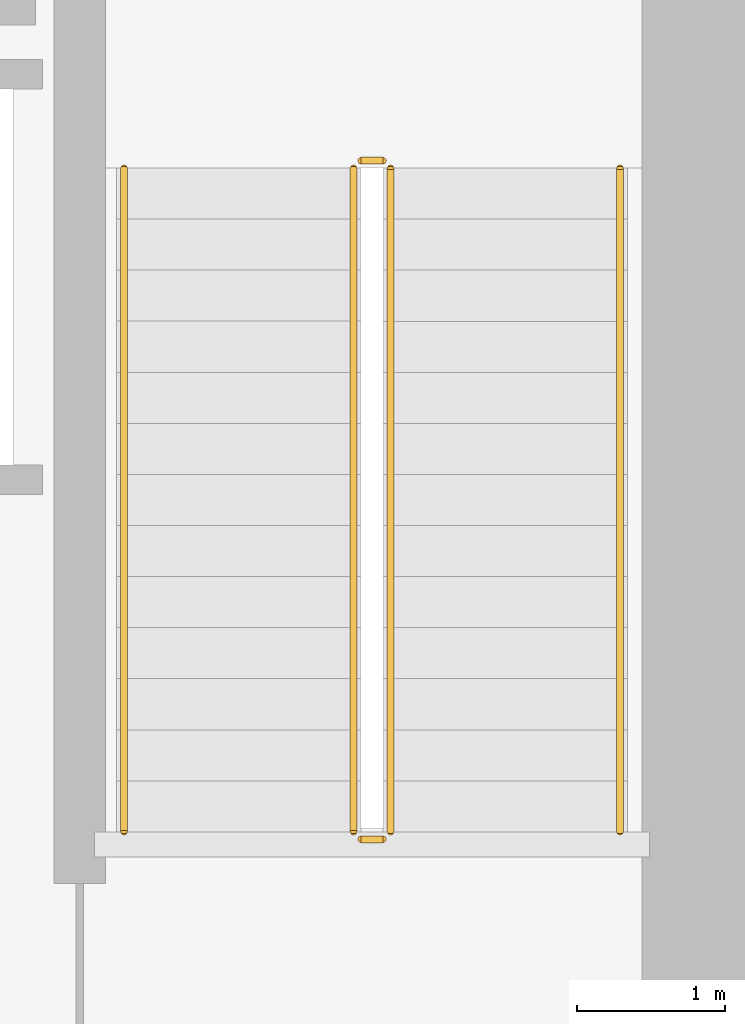
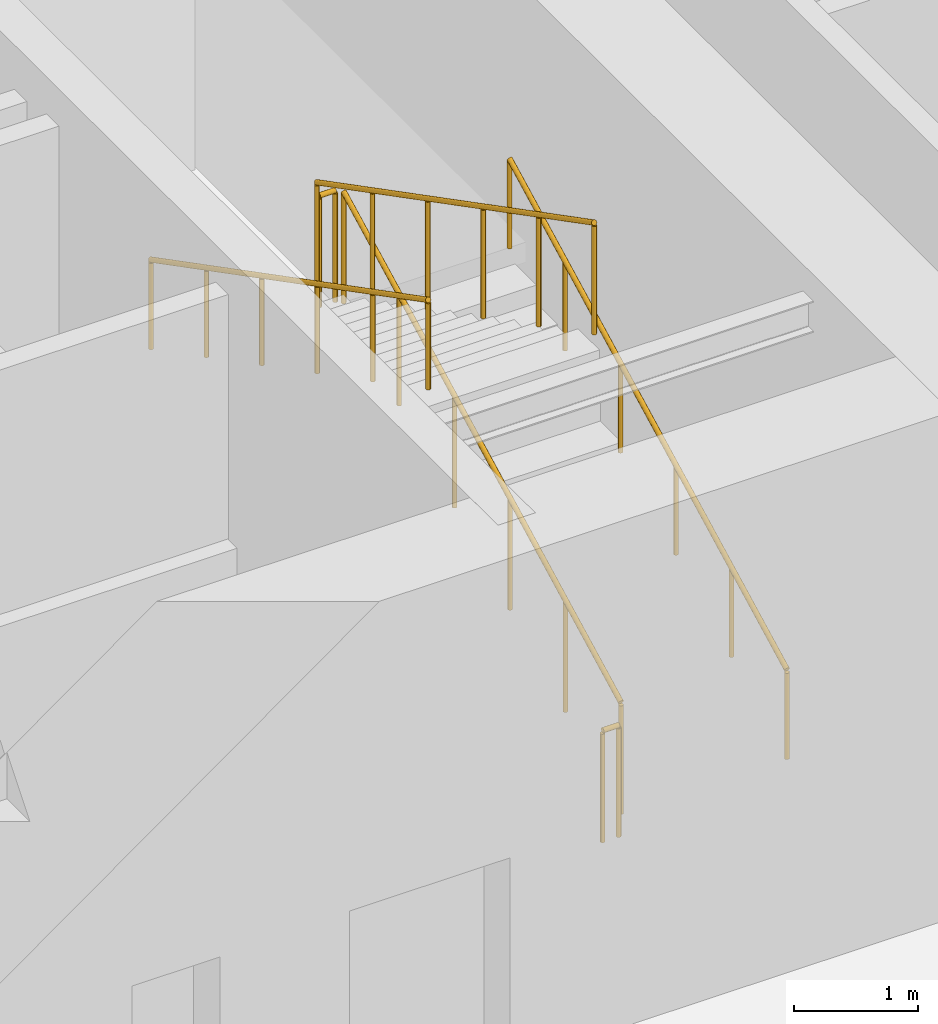
# One storey, part 37 of 39: 6 railings.
"""IFC4 building model written with IfcOpenShell, lengths in metres."""

from ifc_helpers import new_model, si_unit, direction, frame, origin, origin_2d, place, context, subcontext, project, spatial, circle, extrude, material, type_object, element, save


model = new_model("IFC4")

# Units and contexts
model_context = context("Model", 3, precision=1e-05, world=origin(), true_north=direction((0.0, 1.0)))
body_context = subcontext(model_context, "Body", "Model", "MODEL_VIEW")
ifc_project = project(units=[si_unit("LENGTHUNIT", "METRE"), si_unit("AREAUNIT", "SQUARE_METRE"), si_unit("VOLUMEUNIT", "CUBIC_METRE"), si_unit("PLANEANGLEUNIT", "RADIAN"), si_unit("MASSUNIT", "GRAM", prefix="KILO")], contexts=[model_context])

# Site, building, storey
site_placement = place(None, origin())
site = spatial("IfcSite", under=ifc_project, at=site_placement, CompositionType="ELEMENT")
building_placement = place(site_placement, origin())
building = spatial("IfcBuilding", under=site, at=building_placement, Name="Tolvann Quenvar Hotel", CompositionType="ELEMENT")
storey_placement = place(building_placement, frame((0.0, 0.0, 11.0)))
storey = spatial("IfcBuildingStorey", under=building, at=storey_placement, Name="L02", CompositionType="ELEMENT", Elevation=11.0)

# Railings
ifc_material = material(Name="Brushed 316 stainless steel balustrade and handrail", Category="steel")
railing_type_1 = type_object("IfcRailingType", Name="GUARDRAIL", PredefinedType="GUARDRAIL", material=ifc_material)
railing_1_placement = place(storey_placement, frame((33.800048828125, 34.0, 0.178466796875)))
element("IfcRailing", 1, at=railing_1_placement, inside=storey, type_object=railing_type_1, Name="L02 ST-C2 stair guard 1", PredefinedType="GUARDRAIL", context=body_context, shape_type="SweptSolid", body=[
    extrude(circle(Radius=0.02392578125, at=origin_2d()), frame((0.0, 0.0, 1.09619140625), z_axis=(0.0, 0.888084280779, 0.459680661147), x_axis=(-1.0, 0.0, 0.0)), (0.0, 0.0, 1.0), 5.05029296875),
    extrude(circle(Radius=0.02099609375, at=origin_2d()), origin(), (0.0, 0.0, 1.0), 1.072021484375),
    extrude(circle(Radius=0.02099609375, at=origin_2d()), frame((0.0, 0.89697265625, 0.46435546875)), (0.0, 0.0, 1.0), 1.072021484375),
    extrude(circle(Radius=0.02099609375, at=origin_2d()), frame((0.0, 1.7939453125, 0.9287109375)), (0.0, 0.0, 1.0), 1.072021484375),
    extrude(circle(Radius=0.02099609375, at=origin_2d()), frame((0.0, 2.691162109375, 1.392822265625)), (0.0, 0.0, 1.0), 1.072021484375),
    extrude(circle(Radius=0.02099609375, at=origin_2d()), frame((0.0, 3.588134765625, 1.857177734375)), (0.0, 0.0, 1.0), 1.072021484375),
    extrude(circle(Radius=0.02099609375, at=origin_2d()), frame((0.0, 4.485107421875, 2.321533203125)), (0.0, 0.0, 1.0), 1.072021484375),
])
railing_2_placement = place(storey_placement, frame((33.75, 38.534912109375, 2.5)))
element("IfcRailing", 2, at=railing_2_placement, inside=storey, type_object=railing_type_1, Name="L02 ST-C2 stair guard 2", PredefinedType="GUARDRAIL", context=body_context, shape_type="SweptSolid", body=[
    extrude(circle(Radius=0.02392578125, at=origin_2d()), frame((0.0, 0.0, 1.09619140625), z_axis=(-1.0, 0.0, 0.0), x_axis=(0.0, -1.0, 0.0)), (0.0, 0.0, 1.0), 0.14990234375),
    extrude(circle(Radius=0.02099609375, at=origin_2d()), origin(), (0.0, 0.0, 1.0), 1.072021484375),
    extrude(circle(Radius=0.02099609375, at=origin_2d()), frame((-0.14990234375, 0.0, 0.0)), (0.0, 0.0, 1.0), 1.072021484375),
])
railing_3_placement = place(storey_placement, frame((33.550048828125, 38.485107421875, 2.678466796875)))
element("IfcRailing", 3, at=railing_3_placement, inside=storey, type_object=railing_type_1, Name="L02 ST-C2 stair guard 3", PredefinedType="GUARDRAIL", context=body_context, shape_type="SweptSolid", body=[
    extrude(circle(Radius=0.02392578125, at=origin_2d()), frame((0.0, 0.0, 1.09619140625), z_axis=(0.0, -0.888084280779, 0.459680661147), x_axis=(1.0, 0.0, 0.0)), (0.0, 0.0, 1.0), 5.05029296875),
    extrude(circle(Radius=0.02099609375, at=origin_2d()), origin(), (0.0, 0.0, 1.0), 1.072021484375),
    extrude(circle(Radius=0.02099609375, at=origin_2d()), frame((0.0, -0.89697265625, 0.46435546875)), (0.0, 0.0, 1.0), 1.072021484375),
    extrude(circle(Radius=0.02099609375, at=origin_2d()), frame((0.0, -1.7939453125, 0.9287109375)), (0.0, 0.0, 1.0), 1.072021484375),
    extrude(circle(Radius=0.02099609375, at=origin_2d()), frame((0.0, -2.691162109375, 1.392822265625)), (0.0, 0.0, 1.0), 1.072021484375),
    extrude(circle(Radius=0.02099609375, at=origin_2d()), frame((0.0, -3.588134765625, 1.857177734375)), (0.0, 0.0, 1.0), 1.072021484375),
    extrude(circle(Radius=0.02099609375, at=origin_2d()), frame((0.0, -4.485107421875, 2.321533203125)), (0.0, 0.0, 1.0), 1.072021484375),
])
railing_4_placement = place(storey_placement, frame((33.75, 33.949951171875, 0.0)))
element("IfcRailing", 4, at=railing_4_placement, inside=storey, type_object=railing_type_1, Name="L02 ST-C2 stair guard 4", PredefinedType="GUARDRAIL", context=body_context, shape_type="SweptSolid", body=[
    extrude(circle(Radius=0.02392578125, at=origin_2d()), frame((0.0, 0.0, 1.09619140625), z_axis=(-1.0, 0.0, 0.0), x_axis=(0.0, -1.0, 0.0)), (0.0, 0.0, 1.0), 0.14990234375),
    extrude(circle(Radius=0.02099609375, at=origin_2d()), origin(), (0.0, 0.0, 1.0), 1.072021484375),
    extrude(circle(Radius=0.02099609375, at=origin_2d()), frame((-0.14990234375, 0.0, 0.0)), (0.0, 0.0, 1.0), 1.072021484375),
])
railing_type_2 = type_object("IfcRailingType", Name="HANDRAIL", PredefinedType="HANDRAIL", material=ifc_material)
railing_5_placement = place(storey_placement, frame((35.35009765625, 34.0, 0.178466796875)))
element("IfcRailing", 5, at=railing_5_placement, inside=storey, type_object=railing_type_2, Name="L02 ST-C2 stair handrail 1", PredefinedType="HANDRAIL", context=body_context, shape_type="SweptSolid", body=[
    extrude(circle(Radius=0.02392578125, at=origin_2d()), frame((0.0, 0.0, 0.8759765625), z_axis=(0.0, 0.888084280779, 0.459680661147), x_axis=(-1.0, 0.0, 0.0)), (0.0, 0.0, 1.0), 5.05029296875),
    extrude(circle(Radius=0.02099609375, at=origin_2d()), origin(), (0.0, 0.0, 1.0), 0.851806640625),
    extrude(circle(Radius=0.02099609375, at=origin_2d()), frame((0.0, 0.89697265625, 0.46435546875)), (0.0, 0.0, 1.0), 0.851806640625),
    extrude(circle(Radius=0.02099609375, at=origin_2d()), frame((0.0, 1.7939453125, 0.9287109375)), (0.0, 0.0, 1.0), 0.851806640625),
    extrude(circle(Radius=0.02099609375, at=origin_2d()), frame((0.0, 2.691162109375, 1.392822265625)), (0.0, 0.0, 1.0), 0.851806640625),
    extrude(circle(Radius=0.02099609375, at=origin_2d()), frame((0.0, 3.588134765625, 1.857177734375)), (0.0, 0.0, 1.0), 0.851806640625),
    extrude(circle(Radius=0.02099609375, at=origin_2d()), frame((0.0, 4.485107421875, 2.321533203125)), (0.0, 0.0, 1.0), 0.851806640625),
])
railing_6_placement = place(storey_placement, frame((32.0, 38.485107421875, 2.678466796875)))
element("IfcRailing", 6, at=railing_6_placement, inside=storey, type_object=railing_type_2, Name="L02 ST-C2 stair handrail 2", PredefinedType="HANDRAIL", context=body_context, shape_type="SweptSolid", body=[
    extrude(circle(Radius=0.02392578125, at=origin_2d()), frame((0.0, 0.0, 0.8759765625), z_axis=(0.0, -0.888084280779, 0.459680661147), x_axis=(1.0, 0.0, 0.0)), (0.0, 0.0, 1.0), 5.05029296875),
    extrude(circle(Radius=0.02099609375, at=origin_2d()), origin(), (0.0, 0.0, 1.0), 0.851806640625),
    extrude(circle(Radius=0.02099609375, at=origin_2d()), frame((0.0, -0.89697265625, 0.46435546875)), (0.0, 0.0, 1.0), 0.851806640625),
    extrude(circle(Radius=0.02099609375, at=origin_2d()), frame((0.0, -1.7939453125, 0.9287109375)), (0.0, 0.0, 1.0), 0.851806640625),
    extrude(circle(Radius=0.02099609375, at=origin_2d()), frame((0.0, -2.691162109375, 1.392822265625)), (0.0, 0.0, 1.0), 0.851806640625),
    extrude(circle(Radius=0.02099609375, at=origin_2d()), frame((0.0, -3.588134765625, 1.857177734375)), (0.0, 0.0, 1.0), 0.851806640625),
    extrude(circle(Radius=0.02099609375, at=origin_2d()), frame((0.0, -4.485107421875, 2.321533203125)), (0.0, 0.0, 1.0), 0.851806640625),
])

save(model, "model.ifc")
